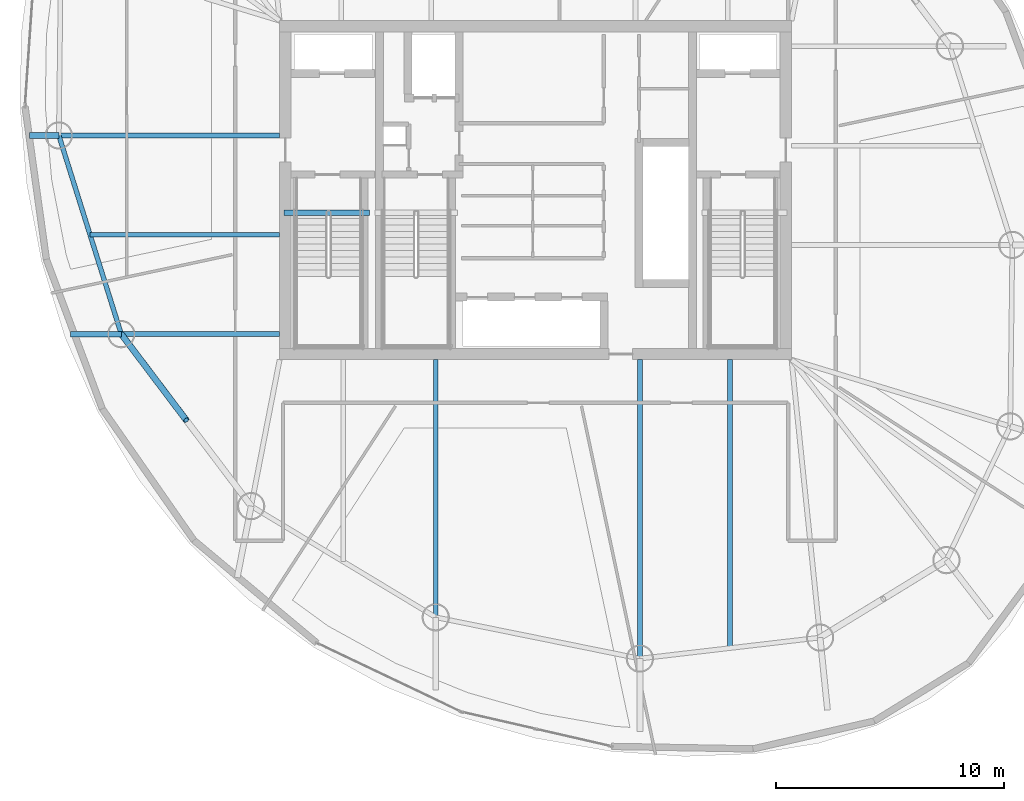
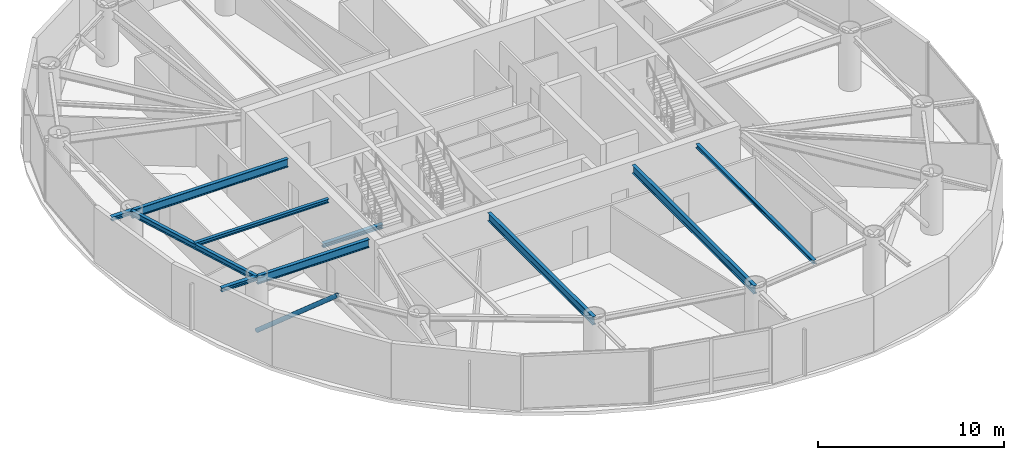
# One storey, part 5 of 22: 10 beams, 1 member.
"""IFC4 building model written with IfcOpenShell, lengths in metres."""

import ifcopenshell
import ifcopenshell.guid

model = None  # the IFC model being written
_history = None  # IfcOwnerHistory: only IFC2X3 demands one
_inside = {}  # id of a spatial element -> (the spatial element, [elements in it])
_under = {}  # id of a project, library or spatial element -> (it, [spatial elements below it])
_declared = {}  # id of a project -> (the project, [libraries it declares])
_typed = {}  # id of a type object -> (the type object, [elements of that type])
_made_of = {}  # id of a material, layer set ... -> (it, [elements and type objects made of it])


def new_model(schema):
    """Start an empty IFC model of exactly this schema.

    Asked for "IFC4X3", IfcOpenShell would pick the latest addendum, in which some entities
    have other attributes; the version numbers below select the first issue.
    IFC2X3 requires an IfcOwnerHistory on every rooted entity: one is made here for all.
    """
    global model, _history
    if schema == "IFC4X3":
        model = ifcopenshell.file(schema_version=(4, 3, 0, 0))
    else:
        model = ifcopenshell.file(schema=schema)
    _inside.clear()
    _under.clear()
    _declared.clear()
    _typed.clear()
    _made_of.clear()
    _history = None
    if model.schema == "IFC2X3":
        org = make("IfcOrganization", Name="unknown")
        user = make(
            "IfcPersonAndOrganization",
            ThePerson=make("IfcPerson", FamilyName="unknown"),
            TheOrganization=org,
        )
        app = make(
            "IfcApplication",
            ApplicationDeveloper=org,
            Version="unknown",
            ApplicationFullName="unknown",
            ApplicationIdentifier="unknown",
        )
        _history = make(
            "IfcOwnerHistory",
            OwningUser=user,
            OwningApplication=app,
            ChangeAction="ADDED",
            CreationDate=0,
        )
    return model


def make(cls, **values):
    """One entity of the class cls with the attributes given. An attribute that is None is left unset."""
    return model.create_entity(
        cls, **{name: value for name, value in values.items() if value is not None}
    )


def rooted(cls, **values):
    """An entity with a GlobalId (a new one), such as an element, a storey or a relation."""
    return make(cls, GlobalId=ifcopenshell.guid.new(), OwnerHistory=_history, **values)


def si_unit(unit_type, name, prefix=None):
    """IfcSIUnit, for example si_unit("LENGTHUNIT", "METRE", prefix="MILLI")."""
    return make("IfcSIUnit", UnitType=unit_type, Prefix=prefix, Name=name)


def assignment(units):
    """IfcUnitAssignment: the units of a project."""
    return None if units is None else make("IfcUnitAssignment", Units=units)


def point(xyz):
    """IfcCartesianPoint."""
    return None if xyz is None else make("IfcCartesianPoint", Coordinates=xyz)


def direction(xyz):
    """IfcDirection."""
    return None if xyz is None else make("IfcDirection", DirectionRatios=xyz)


def frame(location, z_axis=None, x_axis=None):
    """IfcAxis2Placement3D, a coordinate frame: its origin and axes. An axis left out is left unset."""
    return make(
        "IfcAxis2Placement3D",
        Location=point(location),
        Axis=direction(z_axis),
        RefDirection=direction(x_axis),
    )


def frame_2d(location, x_axis=None):
    """IfcAxis2Placement2D, a coordinate frame in the plane: its origin and x axis."""
    return make(
        "IfcAxis2Placement2D", Location=point(location), RefDirection=direction(x_axis)
    )


def origin():
    """The frame at (0, 0, 0) with its axes left unset."""
    return frame((0.0, 0.0, 0.0))


def origin_2d():
    """The frame at (0, 0) in the plane with its x axis left unset."""
    return frame_2d((0.0, 0.0))


def place(relative_to, where):
    """IfcLocalPlacement: puts the frame where relative to a parent placement (None: the world)."""
    return make(
        "IfcLocalPlacement", PlacementRelTo=relative_to, RelativePlacement=where
    )


def context(
    kind, dimensions, precision=None, world=None, true_north=None, identifier=None
):
    """IfcGeometricRepresentationContext, for example the 3D "Model" context."""
    return make(
        "IfcGeometricRepresentationContext",
        ContextIdentifier=identifier,
        ContextType=kind,
        CoordinateSpaceDimension=dimensions,
        Precision=precision,
        WorldCoordinateSystem=world,
        TrueNorth=true_north,
    )


def subcontext(parent, identifier, kind, view, scale=None):
    """IfcGeometricRepresentationSubContext, for example "Body" below "Model"."""
    return make(
        "IfcGeometricRepresentationSubContext",
        ContextIdentifier=identifier,
        ContextType=kind,
        ParentContext=parent,
        TargetScale=scale,
        TargetView=view,
    )


def project(units=None, contexts=None):
    """IfcProject with its units and contexts."""
    return rooted(
        "IfcProject",
        Name="project",
        RepresentationContexts=contexts,
        UnitsInContext=assignment(units),
    )


def spatial(cls, under=None, at=None, **own):
    """A site, building, storey or space (cls), placed at a placement, below another one or the project."""
    s = rooted(cls, ObjectPlacement=at, **own)
    if under is not None:
        _under.setdefault(under.id(), (under, []))[1].append(s)
    return s


def profile(cls, at=None, kind="AREA", **sizes):
    """A parametric profile (cls). Its sizes go by their IFC names, for example OverallWidth=200.0."""
    return make(cls, ProfileType=kind, Position=at, **sizes)


def hollow_circle(**sizes):
    """IfcCircleHollowProfileDef."""
    return profile("IfcCircleHollowProfileDef", **sizes)


def i_section(**sizes):
    """IfcIShapeProfileDef."""
    return profile("IfcIShapeProfileDef", **sizes)


def extrude(swept, where, along, depth):
    """IfcExtrudedAreaSolid: the profile swept, set in the frame where, extruded along a direction by depth."""
    return make(
        "IfcExtrudedAreaSolid",
        SweptArea=swept,
        Position=where,
        ExtrudedDirection=direction(along),
        Depth=depth,
    )


def shape(context_of_items, identifier, shape_type, items):
    """IfcShapeRepresentation: the items that make up one representation, for example the "Body"."""
    return make(
        "IfcShapeRepresentation",
        ContextOfItems=context_of_items,
        RepresentationIdentifier=identifier,
        RepresentationType=shape_type,
        Items=items,
    )


def material(Name=None, Category=None):
    """IfcMaterial."""
    return make("IfcMaterial", Name=Name, Category=Category)


def material_profile(
    of_material, cross_section, Name=None, Category=None, Priority=None
):
    """IfcMaterialProfile: a cross section and its material."""
    return make(
        "IfcMaterialProfile",
        Name=Name,
        Material=of_material,
        Profile=cross_section,
        Priority=Priority,
        Category=Category,
    )


def profile_set(profiles, Name=None, composite=None):
    """IfcMaterialProfileSet."""
    return make(
        "IfcMaterialProfileSet",
        Name=Name,
        MaterialProfiles=profiles,
        CompositeProfile=composite,
    )


def made_of(thing, what):
    """Note that an element or type object is made of a material, layer set ...; save() writes the relation."""
    if what is not None:
        _made_of.setdefault(what.id(), (what, []))[1].append(thing)
    return thing


def type_object(cls, material=None, **own):
    """A type object (cls), such as IfcWallType, which elements share."""
    return made_of(rooted(cls, **own), material)


def element(
    cls,
    number,
    at=None,
    inside=None,
    cuts=None,
    type_object=None,
    material=None,
    context=None,
    identifier="Body",
    shape_type=None,
    held_by="IfcProductDefinitionShape",
    body=None,
    shapes=None,
    **own,
):
    """One element of the class cls, such as IfcWall. Its Tag is "e" and its number.

    at: its placement. inside: the storey or other place that contains it. cuts: it is an
    opening in that element (IfcRelVoidsElement). A single representation is given by context,
    identifier, shape_type and body (its items); several are given by shapes. held_by: the class
    of the entity that holds the representations. save() writes the other relations.
    """
    e = rooted(cls, Tag="e%d" % number, ObjectPlacement=at, **own)
    if body is not None:
        shapes = [shape(context, identifier, shape_type, body)]
    if shapes is not None:
        e.Representation = make(held_by, Representations=shapes)
    if inside is not None:
        _inside.setdefault(inside.id(), (inside, []))[1].append(e)
    if cuts is not None:
        rooted(
            "IfcRelVoidsElement", RelatingBuildingElement=cuts, RelatedOpeningElement=e
        )
    if type_object is not None:
        _typed.setdefault(type_object.id(), (type_object, []))[1].append(e)
    return made_of(e, material)


def aggregate(whole, parts):
    """IfcRelAggregates: a whole, such as a stair, and the parts it consists of."""
    return rooted("IfcRelAggregates", RelatingObject=whole, RelatedObjects=parts)


def save(model, path):
    """Write the relations noted so far, then the file.

    IfcRelAggregates (storeys below a building ...), IfcRelContainedInSpatialStructure (elements
    in a storey), IfcRelDefinesByType, IfcRelAssociatesMaterial and IfcRelDeclares: one each for
    every whole, place, type object, material and project.
    """
    for whole, parts in _under.values():
        aggregate(whole, parts)
    for where, things in _inside.values():
        rooted(
            "IfcRelContainedInSpatialStructure",
            RelatedElements=things,
            RelatingStructure=where,
        )
    for kind, things in _typed.values():
        rooted("IfcRelDefinesByType", RelatedObjects=things, RelatingType=kind)
    for what, things in _made_of.values():
        rooted("IfcRelAssociatesMaterial", RelatedObjects=things, RelatingMaterial=what)
    for by, libraries in _declared.values():
        rooted("IfcRelDeclares", RelatingContext=by, RelatedDefinitions=libraries)
    model.write(path)


model = new_model("IFC4")

# Units and contexts
model_context = context("Model", 3, precision=1e-05, world=origin(), true_north=direction((0.0, 1.0)))
body_context = subcontext(model_context, "Body", "Model", "MODEL_VIEW")
ifc_project = project(units=[si_unit("LENGTHUNIT", "METRE"), si_unit("AREAUNIT", "SQUARE_METRE"), si_unit("VOLUMEUNIT", "CUBIC_METRE"), si_unit("PLANEANGLEUNIT", "RADIAN"), si_unit("MASSUNIT", "GRAM", prefix="KILO")], contexts=[model_context])

# Site, building, storey
site_placement = place(None, origin())
site = spatial("IfcSite", under=ifc_project, at=site_placement, CompositionType="ELEMENT")
building_placement = place(site_placement, origin())
building = spatial("IfcBuilding", under=site, at=building_placement, Name="Bramvorn Convention Spire", CompositionType="ELEMENT")
storey_placement = place(building_placement, frame((0.0, 0.0, 221.25)))
storey = spatial("IfcBuildingStorey", under=building, at=storey_placement, Name="L56", CompositionType="ELEMENT", Elevation=221.25)

# Beams
ifc_material = material(Name="Steel CSA G40.21 Grade 350 (350W)", Category="steel")
ifc_material_profile_1 = material_profile(ifc_material, i_section(OverallWidth=0.201904296875, OverallDepth=0.2470703125, WebThickness=0.00732421875, FlangeThickness=0.010986328125, FilletRadius=0.011962890625, at=origin_2d()))
ifc_profile_set_1 = profile_set([ifc_material_profile_1], Name="Steel CSA G40.21 Grade 350 (350W) - W250X49")
beam_type_1 = type_object("IfcBeamType", Name="BM-W250X49", PredefinedType="JOIST", material=ifc_profile_set_1)
beam_1_placement = place(storey_placement, frame((26.75, 24.039794921875, 3.49658203125), z_axis=(-1.0, 0.0, 0.0), x_axis=(0.0, -1.0, 0.0)))
element("IfcBeam", 1, at=beam_1_placement, inside=storey, type_object=beam_type_1, Name="L56 composite floor joist 11", PredefinedType="JOIST", context=body_context, shape_type="SweptSolid", body=[
    extrude(i_section(OverallWidth=0.201904296875, OverallDepth=0.2470703125, WebThickness=0.00732421875, FlangeThickness=0.010986328125, FilletRadius=0.011962890625, at=origin_2d()), origin(), (0.0, 0.0, 1.0), 8.33251953125),
])
beam_2_placement = place(storey_placement, frame((46.544189453125, 18.550048828125, 3.49658203125), z_axis=(0.0, -1.0, 0.0), x_axis=(1.0, 0.0, 0.0)))
element("IfcBeam", 2, at=beam_2_placement, inside=storey, type_object=beam_type_1, Name="L56 composite floor joist 15", PredefinedType="JOIST", context=body_context, shape_type="SweptSolid", body=[
    extrude(i_section(OverallWidth=0.201904296875, OverallDepth=0.2470703125, WebThickness=0.00732421875, FlangeThickness=0.010986328125, FilletRadius=0.011962890625, at=origin_2d()), origin(), (0.0, 0.0, 1.0), 12.67626953125),
])
ifc_material_profile_2 = material_profile(ifc_material, i_section(OverallWidth=0.25390625, OverallDepth=0.2529296875, WebThickness=0.008544921875, FlangeThickness=0.01416015625, FilletRadius=0.011962890625, at=origin_2d()))
ifc_profile_set_2 = profile_set([ifc_material_profile_2], Name="Steel CSA G40.21 Grade 350 (350W) - W250X73")
beam_type_2 = type_object("IfcBeamType", Name="BM-W250X73", PredefinedType="BEAM", material=ifc_profile_set_2)
beam_3_placement = place(storey_placement, frame((17.04541015625, 28.406494140625, 3.493408203125), z_axis=(-1.0, 0.0, 0.0), x_axis=(0.0, -1.0, 0.0)))
element("IfcBeam", 3, at=beam_3_placement, inside=storey, type_object=beam_type_2, Name="L56 slab-edge cantilever tip beam MC11", PredefinedType="BEAM", context=body_context, shape_type="SweptSolid", body=[
    extrude(i_section(OverallWidth=0.25390625, OverallDepth=0.2529296875, WebThickness=0.008544921875, FlangeThickness=0.01416015625, FilletRadius=0.011962890625, at=origin_2d()), origin(), (0.0, 0.0, 1.0), 1.293701171875),
])
beam_4_placement = place(storey_placement, frame((19.78955078125, 19.672607421875, 3.493408203125), z_axis=(-1.0, 0.0, 0.0), x_axis=(0.0, -1.0, 0.0)))
element("IfcBeam", 4, at=beam_4_placement, inside=storey, type_object=beam_type_2, Name="L56 slab-edge cantilever tip beam MC12", PredefinedType="BEAM", context=body_context, shape_type="SweptSolid", body=[
    extrude(i_section(OverallWidth=0.25390625, OverallDepth=0.2529296875, WebThickness=0.008544921875, FlangeThickness=0.01416015625, FilletRadius=0.011962890625, at=origin_2d()), origin(), (0.0, 0.0, 1.0), 2.236572265625),
])
beam_5_placement = place(storey_placement, frame((26.949951171875, 25.010009765625, -0.12646484375), z_axis=(1.0, 0.0, 0.0), x_axis=(0.0, 1.0, 0.0)))
element("IfcBeam", 5, at=beam_5_placement, inside=storey, type_object=beam_type_2, Name="L56 ST1 stair arrival header beam", PredefinedType="BEAM", context=body_context, shape_type="SweptSolid", body=[
    extrude(i_section(OverallWidth=0.25390625, OverallDepth=0.2529296875, WebThickness=0.008544921875, FlangeThickness=0.01416015625, FilletRadius=0.011962890625, at=origin_2d()), origin(), (0.0, 0.0, 1.0), 3.739990234375),
])
ifc_material_profile_3 = material_profile(ifc_material, i_section(OverallWidth=0.205078125, OverallDepth=0.35400390625, WebThickness=0.009521484375, FlangeThickness=0.016845703125, FilletRadius=0.014892578125, at=origin_2d()))
ifc_profile_set_3 = profile_set([ifc_material_profile_3], Name="Steel CSA G40.21 Grade 350 (350W) - W360X79")
beam_type_3 = type_object("IfcBeamType", Name="BM-W360X79", PredefinedType="JOIST", material=ifc_profile_set_3)
beam_6_placement = place(storey_placement, frame((17.04541015625, 28.406494140625, 3.443115234375), z_axis=(0.299747542929, -0.954018558786, 0.0), x_axis=(0.954018558786, 0.299747542929, 0.0)))
element("IfcBeam", 6, at=beam_6_placement, inside=storey, type_object=beam_type_3, Name="L56 mega-column ring beam 11", PredefinedType="JOIST", context=body_context, shape_type="SweptSolid", body=[
    extrude(i_section(OverallWidth=0.205078125, OverallDepth=0.35400390625, WebThickness=0.009521484375, FlangeThickness=0.016845703125, FilletRadius=0.014892578125, at=origin_2d()), origin(), (0.0, 0.0, 1.0), 9.15478515625),
])
ifc_material_profile_4 = material_profile(ifc_material, i_section(OverallWidth=0.2119140625, OverallDepth=0.5439453125, WebThickness=0.01318359375, FlangeThickness=0.021240234375, FilletRadius=0.01904296875, at=origin_2d()))
ifc_profile_set_4 = profile_set([ifc_material_profile_4], Name="Steel CSA G40.21 Grade 350 (350W) - W530X123")
beam_type_4 = type_object("IfcBeamType", Name="BM-W530X123", PredefinedType="BEAM", material=ifc_profile_set_4)
beam_7_placement = place(storey_placement, frame((26.75, 28.406494140625, 3.347900390625), z_axis=(-1.0, 0.0, 0.0), x_axis=(0.0, -1.0, 0.0)))
element("IfcBeam", 7, at=beam_7_placement, inside=storey, type_object=beam_type_4, Name="L56 radial floor girder MC11", PredefinedType="BEAM", context=body_context, shape_type="SweptSolid", body=[
    extrude(i_section(OverallWidth=0.2119140625, OverallDepth=0.5439453125, WebThickness=0.01318359375, FlangeThickness=0.021240234375, FilletRadius=0.01904296875, at=origin_2d()), origin(), (0.0, 0.0, 1.0), 9.70458984375),
])
beam_8_placement = place(storey_placement, frame((26.75, 19.672607421875, 3.347900390625), z_axis=(-1.0, 0.0, 0.0), x_axis=(0.0, -1.0, 0.0)))
element("IfcBeam", 8, at=beam_8_placement, inside=storey, type_object=beam_type_4, Name="L56 radial floor girder MC12", PredefinedType="BEAM", context=body_context, shape_type="SweptSolid", body=[
    extrude(i_section(OverallWidth=0.2119140625, OverallDepth=0.5439453125, WebThickness=0.01318359375, FlangeThickness=0.021240234375, FilletRadius=0.01904296875, at=origin_2d()), origin(), (0.0, 0.0, 1.0), 6.96044921875),
])
beam_9_placement = place(storey_placement, frame((33.61083984375, 18.550048828125, 3.347900390625), z_axis=(0.0, -1.0, 0.0), x_axis=(1.0, 0.0, 0.0)))
element("IfcBeam", 9, at=beam_9_placement, inside=storey, type_object=beam_type_4, Name="L56 radial floor girder MC14", PredefinedType="BEAM", context=body_context, shape_type="SweptSolid", body=[
    extrude(i_section(OverallWidth=0.2119140625, OverallDepth=0.5439453125, WebThickness=0.01318359375, FlangeThickness=0.021240234375, FilletRadius=0.01904296875, at=origin_2d()), origin(), (0.0, 0.0, 1.0), 11.322265625),
])
beam_10_placement = place(storey_placement, frame((42.583740234375, 18.550048828125, 3.347900390625), z_axis=(0.0, -1.0, 0.0), x_axis=(1.0, 0.0, 0.0)))
element("IfcBeam", 10, at=beam_10_placement, inside=storey, type_object=beam_type_4, Name="L56 radial floor girder MC15", PredefinedType="BEAM", context=body_context, shape_type="SweptSolid", body=[
    extrude(i_section(OverallWidth=0.2119140625, OverallDepth=0.5439453125, WebThickness=0.01318359375, FlangeThickness=0.021240234375, FilletRadius=0.01904296875, at=origin_2d()), origin(), (0.0, 0.0, 1.0), 13.138427734375),
])

# Member
ifc_material_profile_5 = material_profile(ifc_material, hollow_circle(Radius=0.136474609375, WallThickness=0.0126953125, at=origin_2d()))
ifc_profile_set_5 = profile_set([ifc_material_profile_5], Name="Steel CSA G40.21 Grade 350 (350W) - CHS273X13")
member_type = type_object("IfcMemberType", Name="MBR-CHS273X13", PredefinedType="BRACE", material=ifc_profile_set_5)
member_placement = place(storey_placement, frame((19.78955078125, 19.672607421875, 0.0), z_axis=(0.478834801206, -0.633941070316, 0.607318658137), x_axis=(0.797953827999, 0.602718581414, 0.0)))
element("IfcMember", 11, at=member_placement, inside=storey, type_object=member_type, Name="L56 perimeter Gothic lancet brace 12A", PredefinedType="BRACE", context=body_context, shape_type="SweptSolid", body=[
    extrude(hollow_circle(Radius=0.136474609375, WallThickness=0.0126953125, at=origin_2d()), origin(), (0.0, 0.0, 1.0), 5.9609375),
])

save(model, "model.ifc")
